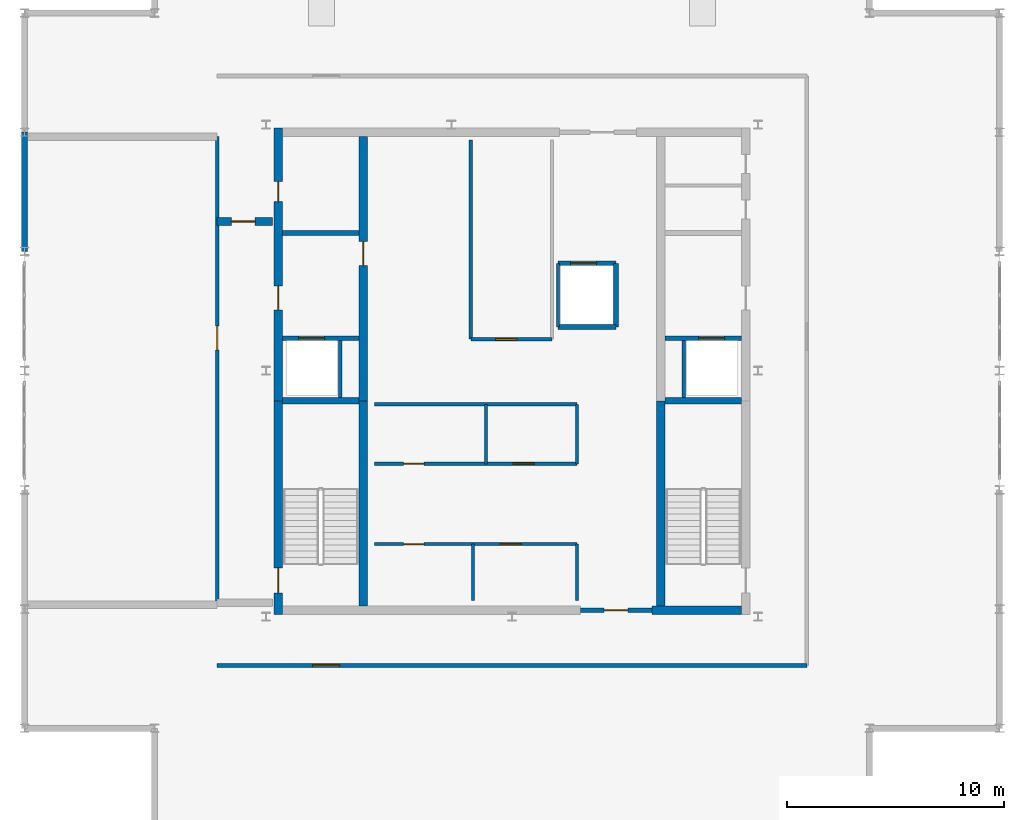
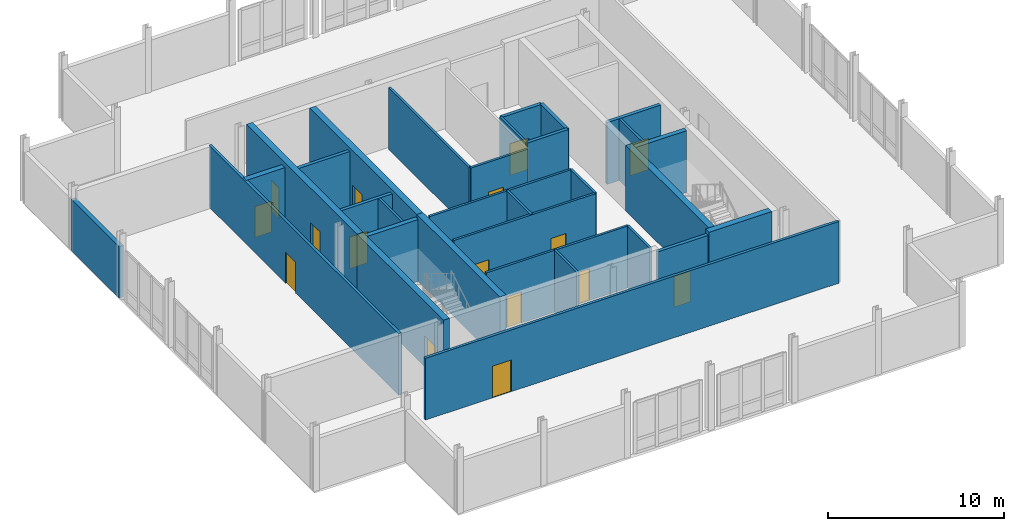
# One storey, part 5 of 7: 31 walls, 16 doors, 16 openings.
"""IFC4 building model written with IfcOpenShell, lengths in metres."""

from ifc_helpers import new_model, si_unit, direction, frame, frame_2d, origin, place, context, subcontext, project, spatial, rectangle, extrude, material, layer, layer_set, type_object, element, fill, save


model = new_model("IFC4")

# Units and contexts
model_context = context("Model", 3, precision=1e-05, world=origin(), true_north=direction((0.0, 1.0)))
body_context = subcontext(model_context, "Body", "Model", "MODEL_VIEW")
ifc_project = project(units=[si_unit("LENGTHUNIT", "METRE"), si_unit("AREAUNIT", "SQUARE_METRE"), si_unit("VOLUMEUNIT", "CUBIC_METRE"), si_unit("PLANEANGLEUNIT", "RADIAN"), si_unit("MASSUNIT", "GRAM", prefix="KILO")], contexts=[model_context])

# Site, building, storey
site_placement = place(None, origin())
site = spatial("IfcSite", under=ifc_project, at=site_placement, CompositionType="ELEMENT")
building_placement = place(site_placement, origin())
building = spatial("IfcBuilding", under=site, at=building_placement, Name="Nhamokura Convention Tower", CompositionType="ELEMENT")
storey_placement = place(building_placement, frame((0.0, 0.0, 326.89990234375)))
storey = spatial("IfcBuildingStorey", under=building, at=storey_placement, Name="L80", CompositionType="ELEMENT", Elevation=326.89990234375)

# Wall
ifc_material_1 = material(Name="Bronze-pigmented precast concrete C45/55", Category="concrete")
ifc_layer_1 = layer(ifc_material_1, 0.280029296875)
ifc_layer_set_1 = layer_set([ifc_layer_1], Name="BronzePrecastSpandrel_280")
wall_type_1 = type_object("IfcWallType", Name="BronzePrecastSpandrel_280", PredefinedType="USERDEFINED", material=ifc_layer_set_1)
wall_1_placement = place(storey_placement, frame((9.5, 37.5, 0.0), z_axis=(0.0, 0.0, 1.0), x_axis=(0.0, 1.0, 0.0)))
element("IfcWall", 1, at=wall_1_placement, inside=storey, type_object=wall_type_1, Name="L80 Crown Wall WEST 4", ObjectType="SPANDREL_WALL", PredefinedType="USERDEFINED", context=body_context, shape_type="SweptSolid", body=[
    extrude(rectangle(XDim=5.5, YDim=0.280029296875, at=frame_2d((2.75, 0.0))), origin(), (0.0, 0.0, 1.0), 3.570068359375),
])

# Wall, opening, door
ifc_material_2 = material(Name="Concrete C50/60", Category="concrete")
ifc_layer_2 = layer(ifc_material_2, 0.39990234375)
ifc_layer_set_2 = layer_set([ifc_layer_2], Name="CoreShearWall_400")
wall_type_2 = type_object("IfcWallType", Name="CoreShearWall_400", PredefinedType="SHEAR", material=ifc_layer_set_2)
wall_2_placement = place(storey_placement, frame((21.2099609375, 20.75, 0.0), z_axis=(0.0, 0.0, 1.0), x_axis=(0.0, 1.0, 0.0)))
wall_2 = element("IfcWall", 2, at=wall_2_placement, inside=storey, type_object=wall_type_2, Name="L80 Core Shear Wall CW-WS", PredefinedType="SHEAR", context=body_context, shape_type="SweptSolid", body=[
    extrude(rectangle(XDim=9.85009765625, YDim=0.39990234375, at=frame_2d((4.925048828125, 0.0))), origin(), (0.0, 0.0, 1.0), 4.550048828125),
])
opening_1_placement = place(wall_2_placement, frame((1.0, 0.0, 0.0)))
opening_1 = element("IfcOpeningElement", 3, at=opening_1_placement, cuts=wall_2, Name="Opening D-04", PredefinedType="OPENING", context=body_context, shape_type="SweptSolid", body=[
    extrude(rectangle(XDim=1.14990234375, YDim=2.14990234375, at=frame_2d((0.574951171875, 1.074951171875))), frame((0.0, 0.2099609375, 0.0), z_axis=(0.0, -1.0, 0.0), x_axis=(1.0, 0.0, 0.0)), (0.0, 0.0, 1.0), 0.419921875),
])
ifc_material_3 = material(Name="Fire-rated steel door", Category="steel")
door_type_1 = type_object("IfcDoorType", Name="StairSmokeDoor_1150", OperationType="NOTDEFINED", PredefinedType="DOOR", material=ifc_material_3)
door_1_placement = place(opening_1_placement, origin())
door_1 = element("IfcDoor", 4, at=door_1_placement, inside=storey, type_object=door_type_1, Name="L80 Core Door INT-L80-D-ST01", OperationType="SINGLE_SWING_LEFT", OverallHeight=2.14990234375, OverallWidth=1.14990234375, PredefinedType="DOOR", context=body_context, shape_type="SweptSolid", body=[
    extrude(rectangle(XDim=1.14990234375, YDim=2.14990234375, at=frame_2d((0.574951171875, 1.074951171875))), frame((0.0, 0.02490234375, 0.0), z_axis=(0.0, -1.0, 0.0), x_axis=(1.0, 0.0, 0.0)), (0.0, 0.0, 1.0), 0.050048828125),
])
fill(opening_1, door_1)

# Wall, openings, doors
wall_3_placement = place(storey_placement, frame((21.2099609375, 30.60009765625, 0.0), z_axis=(0.0, 0.0, 1.0), x_axis=(0.0, 1.0, 0.0)))
wall_3 = element("IfcWall", 5, at=wall_3_placement, inside=storey, type_object=wall_type_2, Name="L80 Core Shear Wall CW-WN", PredefinedType="SHEAR", context=body_context, shape_type="SweptSolid", body=[
    extrude(rectangle(XDim=12.599853515625, YDim=0.39990234375, at=frame_2d((6.2998046875, 0.0))), origin(), (0.0, 0.0, 1.0), 4.550048828125),
])
opening_2_placement = place(wall_3_placement, frame((4.199951171875, 0.0, 0.0)))
opening_2 = element("IfcOpeningElement", 6, at=opening_2_placement, cuts=wall_3, Name="Opening D-05", PredefinedType="OPENING", context=body_context, shape_type="SweptSolid", body=[
    extrude(rectangle(XDim=1.10009765625, YDim=2.14990234375, at=frame_2d((0.550048828125, 1.074951171875))), frame((0.0, 0.2099609375, 0.0), z_axis=(0.0, -1.0, 0.0), x_axis=(1.0, 0.0, 0.0)), (0.0, 0.0, 1.0), 0.419921875),
])
opening_3_placement = place(wall_3_placement, frame((9.199951171875, 0.0, 0.0)))
opening_3 = element("IfcOpeningElement", 7, at=opening_3_placement, cuts=wall_3, Name="Opening D-10", PredefinedType="OPENING", context=body_context, shape_type="SweptSolid", body=[
    extrude(rectangle(XDim=0.919921875, YDim=2.10009765625, at=frame_2d((0.4599609375, 1.050048828125))), frame((0.0, 0.2099609375, 0.0), z_axis=(0.0, -1.0, 0.0), x_axis=(1.0, 0.0, 0.0)), (0.0, 0.0, 1.0), 0.419921875),
])
ifc_material_4 = material(Name="Solid oak hardwood", Category="wood")
door_type_2 = type_object("IfcDoorType", Name="AccessibleWCDoor_920", OperationType="NOTDEFINED", PredefinedType="DOOR", material=ifc_material_4)
door_2_placement = place(opening_3_placement, origin())
door_2 = element("IfcDoor", 8, at=door_2_placement, inside=storey, type_object=door_type_2, Name="L80 Core Door INT-L80-D-AWC", OperationType="SINGLE_SWING_LEFT", OverallHeight=2.10009765625, OverallWidth=0.919921875, PredefinedType="DOOR", context=body_context, shape_type="SweptSolid", body=[
    extrude(rectangle(XDim=0.919921875, YDim=2.10009765625, at=frame_2d((0.4599609375, 1.050048828125))), frame((0.0, 0.02490234375, 0.0), z_axis=(0.0, -1.0, 0.0), x_axis=(1.0, 0.0, 0.0)), (0.0, 0.0, 1.0), 0.050048828125),
])
fill(opening_3, door_2)
ifc_material_5 = material(Name="Fire-rated steel door", Category="steel")
door_type_3 = type_object("IfcDoorType", Name="FireLobbyDoor_1100", OperationType="NOTDEFINED", PredefinedType="DOOR", material=ifc_material_5)
door_3_placement = place(opening_2_placement, origin())
door_3 = element("IfcDoor", 9, at=door_3_placement, inside=storey, type_object=door_type_3, Name="L80 Core Door INT-L80-D-FFLW", OperationType="SINGLE_SWING_RIGHT", OverallHeight=2.14990234375, OverallWidth=1.10009765625, PredefinedType="DOOR", context=body_context, shape_type="SweptSolid", body=[
    extrude(rectangle(XDim=1.10009765625, YDim=2.14990234375, at=frame_2d((0.550048828125, 1.074951171875))), frame((0.0, 0.02490234375, 0.0), z_axis=(0.0, -1.0, 0.0), x_axis=(1.0, 0.0, 0.0)), (0.0, 0.0, 1.0), 0.050048828125),
])
fill(opening_2, door_3)

# Walls
wall_4_placement = place(storey_placement, frame((38.449951171875, 20.949951171875, 0.0), z_axis=(0.0, 0.0, 1.0), x_axis=(1.0, 0.0, 0.0)))
element("IfcWall", 10, at=wall_4_placement, inside=storey, type_object=wall_type_2, Name="L80 Core Shear Wall CW-S2", PredefinedType="SHEAR", context=body_context, shape_type="SweptSolid", body=[
    extrude(rectangle(XDim=4.14013671875, YDim=0.39990234375, at=frame_2d((2.070068359375, 0.0))), origin(), (0.0, 0.0, 1.0), 4.550048828125),
])
wall_5_placement = place(storey_placement, frame((25.139892578125, 21.14990234375, 0.0), z_axis=(0.0, 0.0, 1.0), x_axis=(0.0, 1.0, 0.0)))
element("IfcWall", 11, at=wall_5_placement, inside=storey, type_object=wall_type_2, Name="L80 Core Shear Wall CW-IWS", PredefinedType="SHEAR", context=body_context, shape_type="SweptSolid", body=[
    extrude(rectangle(XDim=9.4501953125, YDim=0.39990234375, at=frame_2d((4.72509765625, 0.0))), origin(), (0.0, 0.0, 1.0), 4.550048828125),
])

# Wall, opening, door
wall_6_placement = place(storey_placement, frame((25.139892578125, 30.60009765625, 0.0), z_axis=(0.0, 0.0, 1.0), x_axis=(0.0, 1.0, 0.0)))
wall_6 = element("IfcWall", 12, at=wall_6_placement, inside=storey, type_object=wall_type_2, Name="L80 Core Shear Wall CW-IWN", PredefinedType="SHEAR", context=body_context, shape_type="SweptSolid", body=[
    extrude(rectangle(XDim=12.199951171875, YDim=0.39990234375, at=frame_2d((6.10009765625, 0.0))), origin(), (0.0, 0.0, 1.0), 4.550048828125),
])
opening_4_placement = place(wall_6_placement, frame((6.25, 0.0, 0.0)))
opening_4 = element("IfcOpeningElement", 13, at=opening_4_placement, cuts=wall_6, Name="Opening D-05", PredefinedType="OPENING", context=body_context, shape_type="SweptSolid", body=[
    extrude(rectangle(XDim=1.10009765625, YDim=2.14990234375, at=frame_2d((0.550048828125, 1.074951171875))), frame((0.0, 0.2099609375, 0.0), z_axis=(0.0, -1.0, 0.0), x_axis=(1.0, 0.0, 0.0)), (0.0, 0.0, 1.0), 0.419921875),
])
door_4_placement = place(opening_4_placement, origin())
door_4 = element("IfcDoor", 14, at=door_4_placement, inside=storey, type_object=door_type_3, Name="L80 Core Door INT-L80-D-B3LOB", OperationType="SINGLE_SWING_LEFT", OverallHeight=2.14990234375, OverallWidth=1.10009765625, PredefinedType="DOOR", context=body_context, shape_type="SweptSolid", body=[
    extrude(rectangle(XDim=1.10009765625, YDim=2.14990234375, at=frame_2d((0.550048828125, 1.074951171875))), frame((0.0, 0.02490234375, 0.0), z_axis=(0.0, -1.0, 0.0), x_axis=(1.0, 0.0, 0.0)), (0.0, 0.0, 1.0), 0.050048828125),
])
fill(opening_4, door_4)

# Wall
wall_7_placement = place(storey_placement, frame((38.860107421875, 21.14990234375, 0.0), z_axis=(0.0, 0.0, 1.0), x_axis=(0.0, 1.0, 0.0)))
element("IfcWall", 15, at=wall_7_placement, inside=storey, type_object=wall_type_2, Name="L80 Core Shear Wall CW-IES", PredefinedType="SHEAR", context=body_context, shape_type="SweptSolid", body=[
    extrude(rectangle(XDim=9.4501953125, YDim=0.39990234375, at=frame_2d((4.72509765625, 0.0))), origin(), (0.0, 0.0, 1.0), 4.550048828125),
])

# Wall, opening, door
ifc_material_6 = material(Name="Fire-rated gypsum and masonry partition", Category="masonry")
ifc_layer_3 = layer(ifc_material_6, 0.179931640625)
ifc_layer_set_3 = layer_set([ifc_layer_3], Name="CorridorRatedWall_180")
wall_type_3 = type_object("IfcWallType", Name="CorridorRatedWall_180", PredefinedType="STANDARD", material=ifc_layer_set_3)
wall_8_placement = place(storey_placement, frame((18.39990234375, 18.39990234375, 0.0), z_axis=(0.0, 0.0, 1.0), x_axis=(1.0, 0.0, 0.0)))
wall_8 = element("IfcWall", 16, at=wall_8_placement, inside=storey, type_object=wall_type_3, Name="L80 Wall INT-L80-CW-S00", PredefinedType="STANDARD", context=body_context, shape_type="SweptSolid", body=[
    extrude(rectangle(XDim=27.2001953125, YDim=0.179931640625, at=frame_2d((13.60009765625, 0.0))), origin(), (0.0, 0.0, 1.0), 4.2900390625),
])
opening_5_placement = place(wall_8_placement, frame((4.39990234375, 0.0, 0.0)))
opening_5 = element("IfcOpeningElement", 17, at=opening_5_placement, cuts=wall_8, Name="Opening D-12", PredefinedType="OPENING", context=body_context, shape_type="SweptSolid", body=[
    extrude(rectangle(XDim=1.25, YDim=2.199951171875, at=frame_2d((0.625, 1.10009765625))), frame((0.0, 0.099853515625, 0.0), z_axis=(0.0, -1.0, 0.0), x_axis=(1.0, 0.0, 0.0)), (0.0, 0.0, 1.0), 0.199951171875),
])
ifc_material_7 = material(Name="Fire-rated steel door", Category="steel")
door_type_4 = type_object("IfcDoorType", Name="PlantServiceDoor_1250", OperationType="NOTDEFINED", PredefinedType="DOOR", material=ifc_material_7)
door_5_placement = place(opening_5_placement, origin())
door_5 = element("IfcDoor", 18, at=door_5_placement, inside=storey, type_object=door_type_4, Name="L80 Smoke Pressurisation Plant S01 Door", OperationType="SINGLE_SWING_LEFT", OverallHeight=2.199951171875, OverallWidth=1.25, PredefinedType="DOOR", context=body_context, shape_type="SweptSolid", body=[
    extrude(rectangle(XDim=1.25, YDim=2.199951171875, at=frame_2d((0.625, 1.10009765625))), frame((0.0, 0.02490234375, 0.0), z_axis=(0.0, -1.0, 0.0), x_axis=(1.0, 0.0, 0.0)), (0.0, 0.0, 1.0), 0.050048828125),
])
fill(opening_5, door_5)

wall_9_placement = place(storey_placement, frame((18.39990234375, 21.199951171875, 0.0), z_axis=(0.0, 0.0, 1.0), x_axis=(0.0, 1.0, 0.0)))
wall_9 = element("IfcWall", 19, at=wall_9_placement, inside=storey, type_object=wall_type_3, Name="L80 Wall INT-L80-CW-W00", PredefinedType="STANDARD", context=body_context, shape_type="SweptSolid", body=[
    extrude(rectangle(XDim=21.60009765625, YDim=0.179931640625, at=frame_2d((10.800048828125, 0.0))), origin(), (0.0, 0.0, 1.0), 4.2900390625),
])
opening_6_placement = place(wall_9_placement, frame((11.75, 0.0, 0.0)))
opening_6 = element("IfcOpeningElement", 20, at=opening_6_placement, cuts=wall_9, Name="Opening D-05", PredefinedType="OPENING", context=body_context, shape_type="SweptSolid", body=[
    extrude(rectangle(XDim=1.10009765625, YDim=2.14990234375, at=frame_2d((0.550048828125, 1.074951171875))), frame((0.0, 0.099853515625, 0.0), z_axis=(0.0, -1.0, 0.0), x_axis=(1.0, 0.0, 0.0)), (0.0, 0.0, 1.0), 0.199951171875),
])
door_6_placement = place(opening_6_placement, origin())
door_6 = element("IfcDoor", 21, at=door_6_placement, inside=storey, type_object=door_type_3, Name="L80 Glycol Heat-Recovery Plant W01 Door", OperationType="SINGLE_SWING_LEFT", OverallHeight=2.14990234375, OverallWidth=1.10009765625, PredefinedType="DOOR", context=body_context, shape_type="SweptSolid", body=[
    extrude(rectangle(XDim=1.10009765625, YDim=2.14990234375, at=frame_2d((0.550048828125, 1.074951171875))), frame((0.0, 0.02490234375, 0.0), z_axis=(0.0, -1.0, 0.0), x_axis=(1.0, 0.0, 0.0)), (0.0, 0.0, 1.0), 0.050048828125),
])
fill(opening_6, door_6)

ifc_material_8 = material(Name="Autoclaved concrete blockwork", Category="masonry")
ifc_layer_4 = layer(ifc_material_8, 0.219970703125)
ifc_layer_set_4 = layer_set([ifc_layer_4], Name="FireLobbyWall_220")
wall_type_4 = type_object("IfcWallType", Name="FireLobbyWall_220", PredefinedType="STANDARD", material=ifc_layer_set_4)
wall_10_placement = place(storey_placement, frame((21.409912109375, 33.5, 0.0), z_axis=(0.0, 0.0, 1.0), x_axis=(1.0, 0.0, 0.0)))
wall_10 = element("IfcWall", 22, at=wall_10_placement, inside=storey, type_object=wall_type_4, Name="L80 Wall INT-L80-FFW-S", PredefinedType="STANDARD", context=body_context, shape_type="SweptSolid", body=[
    extrude(rectangle(XDim=3.530029296875, YDim=0.219970703125, at=frame_2d((1.76513671875, 0.0))), origin(), (0.0, 0.0, 1.0), 4.2900390625),
])
opening_7_placement = place(wall_10_placement, frame((0.75, 0.0, 0.0)))
opening_7 = element("IfcOpeningElement", 23, at=opening_7_placement, cuts=wall_10, Name="Opening LD-02", PredefinedType="OPENING", context=body_context, shape_type="SweptSolid", body=[
    extrude(rectangle(XDim=1.199951171875, YDim=2.199951171875, at=frame_2d((0.60009765625, 1.10009765625))), frame((0.0, 0.119873046875, 0.0), z_axis=(0.0, -1.0, 0.0), x_axis=(1.0, 0.0, 0.0)), (0.0, 0.0, 1.0), 0.239990234375),
])
ifc_material_9 = material(Name="Anodised bronze stainless steel", Category="steel")
door_type_5 = type_object("IfcDoorType", Name="LiftLandingDoor_FireService", OperationType="DOUBLE_DOOR_SLIDING", PredefinedType="DOOR", material=ifc_material_9)
door_7_placement = place(opening_7_placement, origin())
door_7 = element("IfcDoor", 24, at=door_7_placement, inside=storey, type_object=door_type_5, Name="L80 Firefighting Lift LF-01 Door", OperationType="DOUBLE_DOOR_SLIDING", OverallHeight=2.199951171875, OverallWidth=1.199951171875, PredefinedType="DOOR", context=body_context, shape_type="SweptSolid", body=[
    extrude(rectangle(XDim=1.199951171875, YDim=2.199951171875, at=frame_2d((0.60009765625, 1.10009765625))), frame((0.0, 0.02490234375, 0.0), z_axis=(0.0, -1.0, 0.0), x_axis=(1.0, 0.0, 0.0)), (0.0, 0.0, 1.0), 0.050048828125),
])
fill(opening_7, door_7)

wall_11_placement = place(storey_placement, frame((39.06005859375, 33.5, 0.0), z_axis=(0.0, 0.0, 1.0), x_axis=(1.0, 0.0, 0.0)))
wall_11 = element("IfcWall", 25, at=wall_11_placement, inside=storey, type_object=wall_type_4, Name="L80 Wall INT-L80-FFE-S", PredefinedType="STANDARD", context=body_context, shape_type="SweptSolid", body=[
    extrude(rectangle(XDim=3.530029296875, YDim=0.219970703125, at=frame_2d((1.76513671875, 0.0))), origin(), (0.0, 0.0, 1.0), 4.2900390625),
])
opening_8_placement = place(wall_11_placement, frame((1.550048828125, 0.0, 0.0)))
opening_8 = element("IfcOpeningElement", 26, at=opening_8_placement, cuts=wall_11, Name="Opening LD-02", PredefinedType="OPENING", context=body_context, shape_type="SweptSolid", body=[
    extrude(rectangle(XDim=1.199951171875, YDim=2.199951171875, at=frame_2d((0.60009765625, 1.10009765625))), frame((0.0, 0.119873046875, 0.0), z_axis=(0.0, -1.0, 0.0), x_axis=(1.0, 0.0, 0.0)), (0.0, 0.0, 1.0), 0.239990234375),
])
door_8_placement = place(opening_8_placement, origin())
door_8 = element("IfcDoor", 27, at=door_8_placement, inside=storey, type_object=door_type_5, Name="L80 Firefighting Lift LF-02 Door", OperationType="DOUBLE_DOOR_SLIDING", OverallHeight=2.199951171875, OverallWidth=1.199951171875, PredefinedType="DOOR", context=body_context, shape_type="SweptSolid", body=[
    extrude(rectangle(XDim=1.199951171875, YDim=2.199951171875, at=frame_2d((0.60009765625, 1.10009765625))), frame((0.0, 0.02490234375, 0.0), z_axis=(0.0, -1.0, 0.0), x_axis=(1.0, 0.0, 0.0)), (0.0, 0.0, 1.0), 0.050048828125),
])
fill(opening_8, door_8)

# Wall
wall_12_placement = place(storey_placement, frame((21.409912109375, 38.35009765625, 0.0), z_axis=(0.0, 0.0, 1.0), x_axis=(1.0, 0.0, 0.0)))
element("IfcWall", 28, at=wall_12_placement, inside=storey, type_object=wall_type_4, Name="L80 Wall INT-L80-FFW-N", PredefinedType="STANDARD", context=body_context, shape_type="SweptSolid", body=[
    extrude(rectangle(XDim=3.530029296875, YDim=0.219970703125, at=frame_2d((1.76513671875, 0.0))), origin(), (0.0, 0.0, 1.0), 4.2900390625),
])

# Wall, opening, door
wall_13_placement = place(storey_placement, frame((35.14990234375, 20.949951171875, 0.0), z_axis=(0.0, 0.0, 1.0), x_axis=(1.0, 0.0, 0.0)))
wall_13 = element("IfcWall", 29, at=wall_13_placement, inside=storey, type_object=wall_type_4, Name="L80 Wall INT-L80-SPORT-S", PredefinedType="STANDARD", context=body_context, shape_type="SweptSolid", body=[
    extrude(rectangle(XDim=3.300048828125, YDim=0.219970703125, at=frame_2d((1.64990234375, 0.0))), origin(), (0.0, 0.0, 1.0), 4.2900390625),
])
opening_9_placement = place(wall_13_placement, frame((1.10009765625, 0.0, 0.0)))
opening_9 = element("IfcOpeningElement", 30, at=opening_9_placement, cuts=wall_13, Name="Opening D-05", PredefinedType="OPENING", context=body_context, shape_type="SweptSolid", body=[
    extrude(rectangle(XDim=1.10009765625, YDim=2.14990234375, at=frame_2d((0.550048828125, 1.074951171875))), frame((0.0, 0.119873046875, 0.0), z_axis=(0.0, -1.0, 0.0), x_axis=(1.0, 0.0, 0.0)), (0.0, 0.0, 1.0), 0.239990234375),
])
door_9_placement = place(opening_9_placement, origin())
door_9 = element("IfcDoor", 31, at=door_9_placement, inside=storey, type_object=door_type_3, Name="L80 South Core Lobby Portal Door", OperationType="SINGLE_SWING_LEFT", OverallHeight=2.14990234375, OverallWidth=1.10009765625, PredefinedType="DOOR", context=body_context, shape_type="SweptSolid", body=[
    extrude(rectangle(XDim=1.10009765625, YDim=2.14990234375, at=frame_2d((0.550048828125, 1.074951171875))), frame((0.0, 0.02490234375, 0.0), z_axis=(0.0, -1.0, 0.0), x_axis=(1.0, 0.0, 0.0)), (0.0, 0.0, 1.0), 0.050048828125),
])
fill(opening_9, door_9)

wall_14_placement = place(storey_placement, frame((34.1201171875, 36.949951171875, 0.0), z_axis=(0.0, 0.0, 1.0), x_axis=(1.0, 0.0, 0.0)))
wall_14 = element("IfcWall", 32, at=wall_14_placement, inside=storey, type_object=wall_type_4, Name="L80 Wall INT-L80-LSN", PredefinedType="STANDARD", context=body_context, shape_type="SweptSolid", body=[
    extrude(rectangle(XDim=2.679931640625, YDim=0.219970703125, at=frame_2d((1.33984375, 0.0))), origin(), (0.0, 0.0, 1.0), 4.2900390625),
])
opening_10_placement = place(wall_14_placement, frame((0.580078125, 0.0, 0.0)))
opening_10 = element("IfcOpeningElement", 33, at=opening_10_placement, cuts=wall_14, Name="Opening LD-02", PredefinedType="OPENING", context=body_context, shape_type="SweptSolid", body=[
    extrude(rectangle(XDim=1.199951171875, YDim=2.199951171875, at=frame_2d((0.60009765625, 1.10009765625))), frame((0.0, 0.119873046875, 0.0), z_axis=(0.0, -1.0, 0.0), x_axis=(1.0, 0.0, 0.0)), (0.0, 0.0, 1.0), 0.239990234375),
])
door_10_placement = place(opening_10_placement, origin())
door_10 = element("IfcDoor", 34, at=door_10_placement, inside=storey, type_object=door_type_5, Name="L80 Service Lift LS-01 Door", OperationType="DOUBLE_DOOR_SLIDING", OverallHeight=2.199951171875, OverallWidth=1.199951171875, PredefinedType="DOOR", context=body_context, shape_type="SweptSolid", body=[
    extrude(rectangle(XDim=1.199951171875, YDim=2.199951171875, at=frame_2d((0.60009765625, 1.10009765625))), frame((0.0, 0.02490234375, 0.0), z_axis=(0.0, -1.0, 0.0), x_axis=(1.0, 0.0, 0.0)), (0.0, 0.0, 1.0), 0.050048828125),
])
fill(opening_10, door_10)

# Walls
wall_15_placement = place(storey_placement, frame((36.800048828125, 34.02001953125, 0.0), z_axis=(0.0, 0.0, 1.0), x_axis=(0.0, 1.0, 0.0)))
element("IfcWall", 35, at=wall_15_placement, inside=storey, type_object=wall_type_4, Name="L80 Wall INT-L80-LSE", PredefinedType="STANDARD", context=body_context, shape_type="SweptSolid", body=[
    extrude(rectangle(XDim=2.929931640625, YDim=0.219970703125, at=frame_2d((1.46484375, 0.0))), origin(), (0.0, 0.0, 1.0), 4.2900390625),
])
wall_16_placement = place(storey_placement, frame((34.1201171875, 34.02001953125, 0.0), z_axis=(0.0, 0.0, 1.0), x_axis=(1.0, 0.0, 0.0)))
element("IfcWall", 36, at=wall_16_placement, inside=storey, type_object=wall_type_4, Name="L80 Wall INT-L80-LSS", PredefinedType="STANDARD", context=body_context, shape_type="SweptSolid", body=[
    extrude(rectangle(XDim=2.679931640625, YDim=0.219970703125, at=frame_2d((1.33984375, 0.0))), origin(), (0.0, 0.0, 1.0), 4.2900390625),
])

# Wall, opening, door
ifc_material_10 = material(Name="Concrete C50/60", Category="concrete")
ifc_layer_5 = layer(ifc_material_10, 0.35009765625)
ifc_layer_set_5 = layer_set([ifc_layer_5], Name="FirewallPlant_350")
wall_type_5 = type_object("IfcWallType", Name="FirewallPlant_350", PredefinedType="STANDARD", material=ifc_layer_set_5)
wall_17_placement = place(storey_placement, frame((18.39990234375, 38.8798828125, 0.0), z_axis=(0.0, 0.0, 1.0), x_axis=(1.0, 0.0, 0.0)))
wall_17 = element("IfcWall", 37, at=wall_17_placement, inside=storey, type_object=wall_type_5, Name="L80 Wall INT-L80-RLOB-N", PredefinedType="STANDARD", context=body_context, shape_type="SweptSolid", body=[
    extrude(rectangle(XDim=2.550048828125, YDim=0.35009765625, at=frame_2d((1.27490234375, 0.0))), origin(), (0.0, 0.0, 1.0), 4.2900390625),
])
opening_11_placement = place(wall_17_placement, frame((0.64990234375, 0.0, 0.0)))
opening_11 = element("IfcOpeningElement", 38, at=opening_11_placement, cuts=wall_17, Name="Opening D-05", PredefinedType="OPENING", context=body_context, shape_type="SweptSolid", body=[
    extrude(rectangle(XDim=1.10009765625, YDim=2.14990234375, at=frame_2d((0.550048828125, 1.074951171875))), frame((0.0, 0.18505859375, 0.0), z_axis=(0.0, -1.0, 0.0), x_axis=(1.0, 0.0, 0.0)), (0.0, 0.0, 1.0), 0.3701171875),
])
door_11_placement = place(opening_11_placement, origin())
door_11 = element("IfcDoor", 39, at=door_11_placement, inside=storey, type_object=door_type_3, Name="L80 Refuge Lobby North Door", OperationType="SINGLE_SWING_RIGHT", OverallHeight=2.14990234375, OverallWidth=1.10009765625, PredefinedType="DOOR", context=body_context, shape_type="SweptSolid", body=[
    extrude(rectangle(XDim=1.10009765625, YDim=2.14990234375, at=frame_2d((0.550048828125, 1.074951171875))), frame((0.0, 0.02490234375, 0.0), z_axis=(0.0, -1.0, 0.0), x_axis=(1.0, 0.0, 0.0)), (0.0, 0.0, 1.0), 0.050048828125),
])
fill(opening_11, door_11)

# Walls
ifc_material_11 = material(Name="Acoustic gypsum stud partition", Category="masonry")
ifc_layer_6 = layer(ifc_material_11, 0.14990234375)
ifc_layer_set_6 = layer_set([ifc_layer_6], Name="InteriorPartition_150")
wall_type_6 = type_object("IfcWallType", Name="InteriorPartition_150", PredefinedType="STANDARD", material=ifc_layer_set_6)
for number, where, z_axis, x_axis, name in (
    (40, (24.080078125, 30.75, 0.0), (0.0, 0.0, 1.0), (0.0, 1.0, 0.0), "L80 Wall INT-L80-FF1-E"),
    (41, (39.919921875, 30.75, 0.0), (0.0, 0.0, 1.0), (0.0, 1.0, 0.0), "L80 Wall INT-L80-FF2-W"),
):
    element("IfcWall", number, at=place(storey_placement, frame(where, z_axis=z_axis, x_axis=x_axis)), inside=storey, type_object=wall_type_6, Name=name, PredefinedType="STANDARD", context=body_context, shape_type="SweptSolid", body=[
        extrude(rectangle(XDim=2.64990234375, YDim=0.14990234375, at=frame_2d((1.324951171875, 0.0))), origin(), (0.0, 0.0, 1.0), 4.2900390625),
    ])

# Wall, openings, doors
wall_18_placement = place(storey_placement, frame((25.64990234375, 24.0, 0.0), z_axis=(0.0, 0.0, 1.0), x_axis=(1.0, 0.0, 0.0)))
wall_18 = element("IfcWall", 42, at=wall_18_placement, inside=storey, type_object=wall_type_6, Name="L80 Wall INT-L80-B1R-N", PredefinedType="STANDARD", context=body_context, shape_type="SweptSolid", body=[
    extrude(rectangle(XDim=9.35009765625, YDim=0.14990234375, at=frame_2d((4.675048828125, 0.0))), origin(), (0.0, 0.0, 1.0), 4.2900390625),
])
opening_12_placement = place(wall_18_placement, frame((1.35009765625, 0.0, 0.0)))
opening_12 = element("IfcOpeningElement", 43, at=opening_12_placement, cuts=wall_18, Name="Opening D-09", PredefinedType="OPENING", context=body_context, shape_type="SweptSolid", body=[
    extrude(rectangle(XDim=0.949951171875, YDim=2.14990234375, at=frame_2d((0.47509765625, 1.074951171875))), frame((0.0, 0.0849609375, 0.0), z_axis=(0.0, -1.0, 0.0), x_axis=(1.0, 0.0, 0.0)), (0.0, 0.0, 1.0), 0.169921875),
])
opening_13_placement = place(wall_18_placement, frame((5.800048828125, 0.0, 0.0)))
opening_13 = element("IfcOpeningElement", 44, at=opening_13_placement, cuts=wall_18, Name="Opening D-08", PredefinedType="OPENING", context=body_context, shape_type="SweptSolid", body=[
    extrude(rectangle(XDim=0.97998046875, YDim=2.199951171875, at=frame_2d((0.489990234375, 1.10009765625))), frame((0.0, 0.0849609375, 0.0), z_axis=(0.0, -1.0, 0.0), x_axis=(1.0, 0.0, 0.0)), (0.0, 0.0, 1.0), 0.169921875),
])
ifc_material_12 = material(Name="Solid oak hardwood", Category="wood")
door_type_6 = type_object("IfcDoorType", Name="MeetingRoomDoor_950", OperationType="NOTDEFINED", PredefinedType="DOOR", material=ifc_material_12)
door_12_placement = place(opening_12_placement, origin())
door_12 = element("IfcDoor", 45, at=door_12_placement, inside=storey, type_object=door_type_6, Name="L80 Reclaimed Briefing Room Door", OperationType="SINGLE_SWING_LEFT", OverallHeight=2.14990234375, OverallWidth=0.949951171875, PredefinedType="DOOR", context=body_context, shape_type="SweptSolid", body=[
    extrude(rectangle(XDim=0.949951171875, YDim=2.14990234375, at=frame_2d((0.47509765625, 1.074951171875))), frame((0.0, 0.02490234375, 0.0), z_axis=(0.0, -1.0, 0.0), x_axis=(1.0, 0.0, 0.0)), (0.0, 0.0, 1.0), 0.050048828125),
])
fill(opening_12, door_12)
ifc_material_13 = material(Name="Solid oak hardwood", Category="wood")
door_type_7 = type_object("IfcDoorType", Name="OfficeEntryDoor_980", OperationType="NOTDEFINED", PredefinedType="DOOR", material=ifc_material_13)
door_13_placement = place(opening_13_placement, origin())
door_13 = element("IfcDoor", 46, at=door_13_placement, inside=storey, type_object=door_type_7, Name="L80 Reclaimed Hub Door", OperationType="SINGLE_SWING_RIGHT", OverallHeight=2.199951171875, OverallWidth=0.97998046875, PredefinedType="DOOR", context=body_context, shape_type="SweptSolid", body=[
    extrude(rectangle(XDim=0.97998046875, YDim=2.199951171875, at=frame_2d((0.489990234375, 1.10009765625))), frame((0.0, 0.02490234375, 0.0), z_axis=(0.0, -1.0, 0.0), x_axis=(1.0, 0.0, 0.0)), (0.0, 0.0, 1.0), 0.050048828125),
])
fill(opening_13, door_13)

# Walls
for number, where, z_axis, x_axis, name in (
    (47, (30.199951171875, 21.39990234375, 0.0), (0.0, 0.0, 1.0), (0.0, 1.0, 0.0), "L80 Wall INT-L80-B1R-M"),
    (48, (35.0, 21.39990234375, 0.0), (0.0, 0.0, 1.0), (0.0, 1.0, 0.0), "L80 Wall INT-L80-B1R-E"),
):
    element("IfcWall", number, at=place(storey_placement, frame(where, z_axis=z_axis, x_axis=x_axis)), inside=storey, type_object=wall_type_6, Name=name, PredefinedType="STANDARD", context=body_context, shape_type="SweptSolid", body=[
        extrude(rectangle(XDim=2.60009765625, YDim=0.14990234375, at=frame_2d((1.300048828125, 0.0))), origin(), (0.0, 0.0, 1.0), 4.2900390625),
    ])

# Wall, openings, doors
wall_19_placement = place(storey_placement, frame((25.64990234375, 27.699951171875, 0.0), z_axis=(0.0, 0.0, 1.0), x_axis=(1.0, 0.0, 0.0)))
wall_19 = element("IfcWall", 49, at=wall_19_placement, inside=storey, type_object=wall_type_6, Name="L80 Wall INT-L80-B2R-S", PredefinedType="STANDARD", context=body_context, shape_type="SweptSolid", body=[
    extrude(rectangle(XDim=9.35009765625, YDim=0.14990234375, at=frame_2d((4.675048828125, 0.0))), origin(), (0.0, 0.0, 1.0), 4.2900390625),
])
opening_14_placement = place(wall_19_placement, frame((1.35009765625, 0.0, 0.0)))
opening_14 = element("IfcOpeningElement", 50, at=opening_14_placement, cuts=wall_19, Name="Opening D-09", PredefinedType="OPENING", context=body_context, shape_type="SweptSolid", body=[
    extrude(rectangle(XDim=0.949951171875, YDim=2.14990234375, at=frame_2d((0.47509765625, 1.074951171875))), frame((0.0, 0.0849609375, 0.0), z_axis=(0.0, -1.0, 0.0), x_axis=(1.0, 0.0, 0.0)), (0.0, 0.0, 1.0), 0.169921875),
])
opening_15_placement = place(wall_19_placement, frame((6.39990234375, 0.0, 0.0)))
opening_15 = element("IfcOpeningElement", 51, at=opening_15_placement, cuts=wall_19, Name="Opening D-08", PredefinedType="OPENING", context=body_context, shape_type="SweptSolid", body=[
    extrude(rectangle(XDim=0.97998046875, YDim=2.199951171875, at=frame_2d((0.489990234375, 1.10009765625))), frame((0.0, 0.0849609375, 0.0), z_axis=(0.0, -1.0, 0.0), x_axis=(1.0, 0.0, 0.0)), (0.0, 0.0, 1.0), 0.169921875),
])
door_14_placement = place(opening_14_placement, origin())
door_14 = element("IfcDoor", 52, at=door_14_placement, inside=storey, type_object=door_type_6, Name="L80 Caucus Suite Door", OperationType="SINGLE_SWING_LEFT", OverallHeight=2.14990234375, OverallWidth=0.949951171875, PredefinedType="DOOR", context=body_context, shape_type="SweptSolid", body=[
    extrude(rectangle(XDim=0.949951171875, YDim=2.14990234375, at=frame_2d((0.47509765625, 1.074951171875))), frame((0.0, 0.02490234375, 0.0), z_axis=(0.0, -1.0, 0.0), x_axis=(1.0, 0.0, 0.0)), (0.0, 0.0, 1.0), 0.050048828125),
])
fill(opening_14, door_14)
door_15_placement = place(opening_15_placement, origin())
door_15 = element("IfcDoor", 53, at=door_15_placement, inside=storey, type_object=door_type_7, Name="L80 Summit Pantry Door", OperationType="SINGLE_SWING_RIGHT", OverallHeight=2.199951171875, OverallWidth=0.97998046875, PredefinedType="DOOR", context=body_context, shape_type="SweptSolid", body=[
    extrude(rectangle(XDim=0.97998046875, YDim=2.199951171875, at=frame_2d((0.489990234375, 1.10009765625))), frame((0.0, 0.02490234375, 0.0), z_axis=(0.0, -1.0, 0.0), x_axis=(1.0, 0.0, 0.0)), (0.0, 0.0, 1.0), 0.050048828125),
])
fill(opening_15, door_15)

# Walls
wall_20_placement = place(storey_placement, frame((25.64990234375, 30.449951171875, 0.0), z_axis=(0.0, 0.0, 1.0), x_axis=(1.0, 0.0, 0.0)))
element("IfcWall", 54, at=wall_20_placement, inside=storey, type_object=wall_type_6, Name="L80 Wall INT-L80-B2R-N", PredefinedType="STANDARD", context=body_context, shape_type="SweptSolid", body=[
    extrude(rectangle(XDim=9.35009765625, YDim=0.14990234375, at=frame_2d((4.675048828125, 0.0))), origin(), (0.0, 0.0, 1.0), 4.2900390625),
])
for number, where, z_axis, x_axis, name in (
    (55, (30.800048828125, 27.699951171875, 0.0), (0.0, 0.0, 1.0), (0.0, 1.0, 0.0), "L80 Wall INT-L80-B2R-M"),
    (56, (35.0, 27.699951171875, 0.0), (0.0, 0.0, 1.0), (0.0, 1.0, 0.0), "L80 Wall INT-L80-B2R-E"),
):
    element("IfcWall", number, at=place(storey_placement, frame(where, z_axis=z_axis, x_axis=x_axis)), inside=storey, type_object=wall_type_6, Name=name, PredefinedType="STANDARD", context=body_context, shape_type="SweptSolid", body=[
        extrude(rectangle(XDim=2.75, YDim=0.14990234375, at=frame_2d((1.375, 0.0))), origin(), (0.0, 0.0, 1.0), 4.2900390625),
    ])
wall_21_placement = place(storey_placement, frame((30.10009765625, 33.449951171875, 0.0), z_axis=(0.0, 0.0, 1.0), x_axis=(0.0, 1.0, 0.0)))
element("IfcWall", 57, at=wall_21_placement, inside=storey, type_object=wall_type_6, Name="L80 Wall INT-L80-ST03W", PredefinedType="STANDARD", context=body_context, shape_type="SweptSolid", body=[
    extrude(rectangle(XDim=9.199951171875, YDim=0.14990234375, at=frame_2d((4.60009765625, 0.0))), origin(), (0.0, 0.0, 1.0), 4.2900390625),
])

# Wall, opening, door
wall_22_placement = place(storey_placement, frame((30.10009765625, 33.449951171875, 0.0), z_axis=(0.0, 0.0, 1.0), x_axis=(1.0, 0.0, 0.0)))
wall_22 = element("IfcWall", 58, at=wall_22_placement, inside=storey, type_object=wall_type_6, Name="L80 Wall INT-L80-ST03S", PredefinedType="STANDARD", context=body_context, shape_type="SweptSolid", body=[
    extrude(rectangle(XDim=3.75, YDim=0.14990234375, at=frame_2d((1.875, 0.0))), origin(), (0.0, 0.0, 1.0), 4.2900390625),
])
opening_16_placement = place(wall_22_placement, frame((1.14990234375, 0.0, 0.0)))
opening_16 = element("IfcOpeningElement", 59, at=opening_16_placement, cuts=wall_22, Name="Opening D-08", PredefinedType="OPENING", context=body_context, shape_type="SweptSolid", body=[
    extrude(rectangle(XDim=0.97998046875, YDim=2.199951171875, at=frame_2d((0.489990234375, 1.10009765625))), frame((0.0, 0.0849609375, 0.0), z_axis=(0.0, -1.0, 0.0), x_axis=(1.0, 0.0, 0.0)), (0.0, 0.0, 1.0), 0.169921875),
])
door_16_placement = place(opening_16_placement, origin())
door_16 = element("IfcDoor", 60, at=door_16_placement, inside=storey, type_object=door_type_7, Name="L80 Wellness and Records Room Door", OperationType="SINGLE_SWING_LEFT", OverallHeight=2.199951171875, OverallWidth=0.97998046875, PredefinedType="DOOR", context=body_context, shape_type="SweptSolid", body=[
    extrude(rectangle(XDim=0.97998046875, YDim=2.199951171875, at=frame_2d((0.489990234375, 1.10009765625))), frame((0.0, 0.02490234375, 0.0), z_axis=(0.0, -1.0, 0.0), x_axis=(1.0, 0.0, 0.0)), (0.0, 0.0, 1.0), 0.050048828125),
])
fill(opening_16, door_16)

# Walls
wall_23_placement = place(storey_placement, frame((34.1201171875, 34.02001953125, 0.0), z_axis=(0.0, 0.0, 1.0), x_axis=(0.0, 1.0, 0.0)))
element("IfcWall", 61, at=wall_23_placement, inside=storey, type_object=wall_type_6, Name="L80 Wall INT-L80-LSW", PredefinedType="STANDARD", context=body_context, shape_type="SweptSolid", body=[
    extrude(rectangle(XDim=2.929931640625, YDim=0.14990234375, at=frame_2d((1.46484375, 0.0))), origin(), (0.0, 0.0, 1.0), 4.2900390625),
])
ifc_material_14 = material(Name="Concrete C50/60", Category="concrete")
ifc_layer_7 = layer(ifc_material_14, 0.300048828125)
ifc_layer_set_7 = layer_set([ifc_layer_7], Name="ShaftEnclosureWall_300")
wall_type_7 = type_object("IfcWallType", Name="ShaftEnclosureWall_300", PredefinedType="SHEAR", material=ifc_layer_set_7)
for number, where, z_axis, x_axis, name in (
    (62, (21.409912109375, 30.60009765625, 0.0), (0.0, 0.0, 1.0), (1.0, 0.0, 0.0), "L80 Wall INT-L80-ST01-N"),
    (63, (39.06005859375, 30.60009765625, 0.0), (0.0, 0.0, 1.0), (1.0, 0.0, 0.0), "L80 Wall INT-L80-ST02-N"),
):
    element("IfcWall", number, at=place(storey_placement, frame(where, z_axis=z_axis, x_axis=x_axis)), inside=storey, type_object=wall_type_7, Name=name, PredefinedType="SHEAR", context=body_context, shape_type="SweptSolid", body=[
        extrude(rectangle(XDim=3.530029296875, YDim=0.300048828125, at=frame_2d((1.76513671875, 0.0))), origin(), (0.0, 0.0, 1.0), 4.2900390625),
    ])

save(model, "model.ifc")
